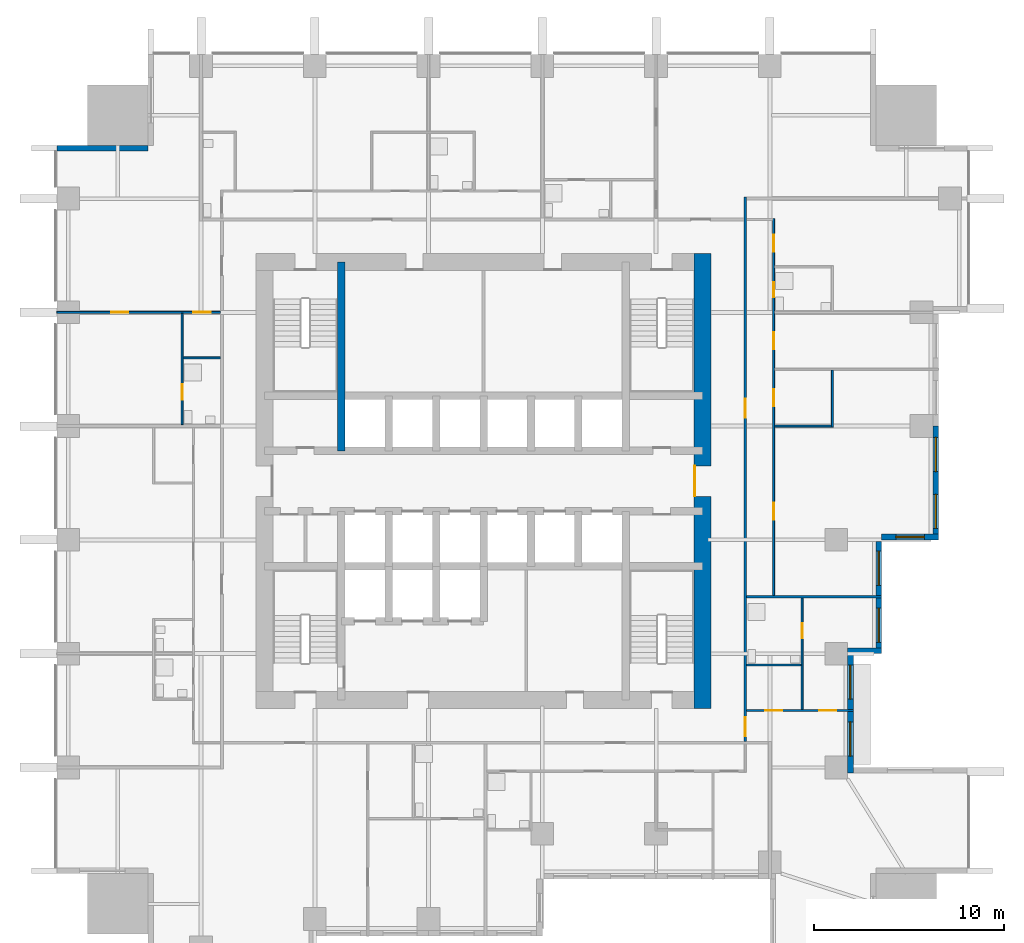
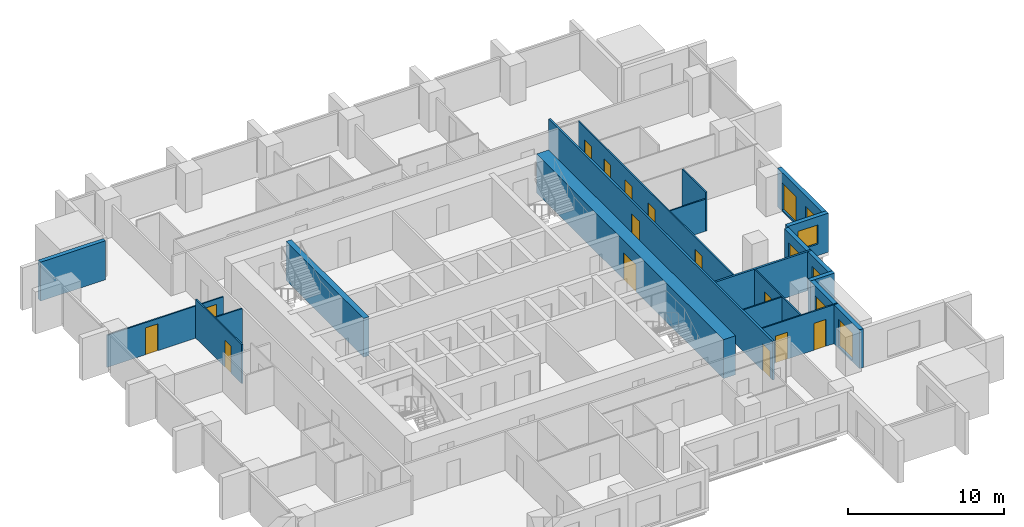
# One storey, part 6 of 10: 19 walls, 14 doors, 7 windows, 21 openings.
"""IFC4 building model written with IfcOpenShell, lengths in metres."""

from ifc_helpers import new_model, si_unit, direction, frame, frame_2d, origin, place, context, subcontext, project, spatial, rectangle, extrude, material, layer, layer_set, type_object, element, fill, save


model = new_model("IFC4")

# Units and contexts
model_context = context("Model", 3, precision=1e-05, world=origin(), true_north=direction((0.0, 1.0)))
body_context = subcontext(model_context, "Body", "Model", "MODEL_VIEW")
ifc_project = project(units=[si_unit("LENGTHUNIT", "METRE"), si_unit("AREAUNIT", "SQUARE_METRE"), si_unit("VOLUMEUNIT", "CUBIC_METRE"), si_unit("PLANEANGLEUNIT", "RADIAN"), si_unit("MASSUNIT", "GRAM", prefix="KILO")], contexts=[model_context])

# Site, building, storey
site_placement = place(None, origin())
site = spatial("IfcSite", under=ifc_project, at=site_placement, CompositionType="ELEMENT")
building_placement = place(site_placement, origin())
building = spatial("IfcBuilding", under=site, at=building_placement, Name="Amberfall Residences", CompositionType="ELEMENT")
storey_placement = place(building_placement, frame((0.0, 0.0, 36.699951171875)))
storey = spatial("IfcBuildingStorey", under=building, at=storey_placement, Name="L09", CompositionType="ELEMENT", Elevation=36.699951171875)

# Wall
ifc_material_1 = material(Name="Pale stone cladding on insulated backing", Category="masonry")
ifc_layer_1 = layer(ifc_material_1, 0.300048828125)
ifc_layer_set_1 = layer_set([ifc_layer_1], Name="Bronze clad wall 300")
wall_type_1 = type_object("IfcWallType", Name="Bronze clad wall 300", PredefinedType="SOLIDWALL", material=ifc_layer_set_1)
wall_1_placement = place(storey_placement, frame((93.699951171875, 36.550048828125, 0.0), z_axis=(0.0, 0.0, 1.0), x_axis=(1.0, 0.0, 0.0)))
element("IfcWall", 1, at=wall_1_placement, inside=storey, type_object=wall_type_1, Name="External wall L09 E", PredefinedType="SOLIDWALL", context=body_context, shape_type="SweptSolid", body=[
    extrude(rectangle(XDim=1.800048828125, YDim=0.300048828125, at=frame_2d((0.89990234375, 0.0))), origin(), (0.0, 0.0, 1.0), 3.050048828125),
])

# Wall, opening, window
wall_2_placement = place(storey_placement, frame((95.5, 42.550048828125, 0.0), z_axis=(0.0, 0.0, 1.0), x_axis=(1.0, 0.0, 0.0)))
wall_2 = element("IfcWall", 2, at=wall_2_placement, inside=storey, type_object=wall_type_1, Name="External wall L09 E", PredefinedType="SOLIDWALL", context=body_context, shape_type="SweptSolid", body=[
    extrude(rectangle(XDim=3.0, YDim=0.300048828125, at=frame_2d((1.5, 0.0))), origin(), (0.0, 0.0, 1.0), 3.050048828125),
])
opening_1_placement = place(wall_2_placement, frame((0.75, 0.0, 0.89990234375)))
opening_1 = element("IfcOpeningElement", 3, at=opening_1_placement, cuts=wall_2, Name="Opening WN1", PredefinedType="OPENING", context=body_context, shape_type="SweptSolid", body=[
    extrude(rectangle(XDim=1.5, YDim=1.5, at=frame_2d((0.75, 0.75))), frame((0.0, 0.159912109375, 0.0), z_axis=(0.0, -1.0, 0.0), x_axis=(1.0, 0.0, 0.0)), (0.0, 0.0, 1.0), 0.320068359375),
])
ifc_material_2 = material(Name="Bronze aluminium framed glazing", Category="aluminium")
window_type_1 = type_object("IfcWindowType", Name="Window 1500 x 1500 bronze", PartitioningType="DOUBLE_PANEL_VERTICAL", PredefinedType="WINDOW", material=ifc_material_2)
window_1_placement = place(opening_1_placement, origin())
window_1 = element("IfcWindow", 4, at=window_1_placement, inside=storey, type_object=window_type_1, Name="Window L09 E", OverallHeight=1.5, OverallWidth=1.5, PartitioningType="DOUBLE_PANEL_VERTICAL", PredefinedType="WINDOW", context=body_context, shape_type="SweptSolid", body=[
    extrude(rectangle(XDim=1.5, YDim=1.5, at=frame_2d((0.75, 0.75))), frame((0.0, 0.030029296875, 0.0), z_axis=(0.0, -1.0, 0.0), x_axis=(1.0, 0.0, 0.0)), (0.0, 0.0, 1.0), 0.06005859375),
])
fill(opening_1, window_1)

# Wall
wall_3_placement = place(storey_placement, frame((56.800048828125, 63.050048828125, 0.0), z_axis=(0.0, 0.0, 1.0), x_axis=(-1.0, 0.0, 0.0)))
element("IfcWall", 5, at=wall_3_placement, inside=storey, type_object=wall_type_1, Name="External wall L09 NW", PredefinedType="SOLIDWALL", context=body_context, shape_type="SweptSolid", body=[
    extrude(rectangle(XDim=4.800048828125, YDim=0.300048828125, at=frame_2d((2.39990234375, 0.0))), origin(), (0.0, 0.0, 1.0), 3.050048828125),
])

# Wall, openings, windows
wall_4_placement = place(storey_placement, frame((93.85009765625, 30.10009765625, 0.0), z_axis=(0.0, 0.0, 1.0), x_axis=(0.0, 1.0, 0.0)))
wall_4 = element("IfcWall", 6, at=wall_4_placement, inside=storey, type_object=wall_type_1, Name="Stone wall L09 E", PredefinedType="SOLIDWALL", context=body_context, shape_type="SweptSolid", body=[
    extrude(rectangle(XDim=6.2998046875, YDim=0.300048828125, at=frame_2d((3.14990234375, 0.0))), origin(), (0.0, 0.0, 1.0), 3.050048828125),
])
opening_2_placement = place(wall_4_placement, frame((0.89990234375, 0.0, 0.14990234375)))
opening_2 = element("IfcOpeningElement", 7, at=opening_2_placement, cuts=wall_4, Name="Opening WN6", PredefinedType="OPENING", context=body_context, shape_type="SweptSolid", body=[
    extrude(rectangle(XDim=1.800048828125, YDim=2.10009765625, at=frame_2d((0.89990234375, 1.050048828125))), frame((0.0, 0.159912109375, 0.0), z_axis=(0.0, -1.0, 0.0), x_axis=(1.0, 0.0, 0.0)), (0.0, 0.0, 1.0), 0.320068359375),
])
opening_3_placement = place(wall_4_placement, frame((3.89990234375, 0.0, 0.14990234375)))
opening_3 = element("IfcOpeningElement", 8, at=opening_3_placement, cuts=wall_4, Name="Opening WN6", PredefinedType="OPENING", context=body_context, shape_type="SweptSolid", body=[
    extrude(rectangle(XDim=1.800048828125, YDim=2.10009765625, at=frame_2d((0.89990234375, 1.050048828125))), frame((0.0, 0.159912109375, 0.0), z_axis=(0.0, -1.0, 0.0), x_axis=(1.0, 0.0, 0.0)), (0.0, 0.0, 1.0), 0.320068359375),
])
window_type_2 = type_object("IfcWindowType", Name="Glazed opening 1800 x 2100 bronze", PartitioningType="DOUBLE_PANEL_VERTICAL", PredefinedType="WINDOW", material=ifc_material_2)
window_2_placement = place(opening_2_placement, origin())
window_2 = element("IfcWindow", 9, at=window_2_placement, inside=storey, type_object=window_type_2, Name="Window L09 E", OverallHeight=2.10009765625, OverallWidth=1.800048828125, PartitioningType="DOUBLE_PANEL_VERTICAL", PredefinedType="WINDOW", context=body_context, shape_type="SweptSolid", body=[
    extrude(rectangle(XDim=1.800048828125, YDim=2.10009765625, at=frame_2d((0.89990234375, 1.050048828125))), frame((0.0, 0.030029296875, 0.0), z_axis=(0.0, -1.0, 0.0), x_axis=(1.0, 0.0, 0.0)), (0.0, 0.0, 1.0), 0.06005859375),
])
fill(opening_2, window_2)
window_3_placement = place(opening_3_placement, origin())
window_3 = element("IfcWindow", 10, at=window_3_placement, inside=storey, type_object=window_type_2, Name="Window L09 E", OverallHeight=2.10009765625, OverallWidth=1.800048828125, PartitioningType="DOUBLE_PANEL_VERTICAL", PredefinedType="WINDOW", context=body_context, shape_type="SweptSolid", body=[
    extrude(rectangle(XDim=1.800048828125, YDim=2.10009765625, at=frame_2d((0.89990234375, 1.050048828125))), frame((0.0, 0.030029296875, 0.0), z_axis=(0.0, -1.0, 0.0), x_axis=(1.0, 0.0, 0.0)), (0.0, 0.0, 1.0), 0.06005859375),
])
fill(opening_3, window_3)

wall_5_placement = place(storey_placement, frame((95.35009765625, 36.699951171875, 0.0), z_axis=(0.0, 0.0, 1.0), x_axis=(0.0, 1.0, 0.0)))
wall_5 = element("IfcWall", 11, at=wall_5_placement, inside=storey, type_object=wall_type_1, Name="Stone wall L09 E", PredefinedType="SOLIDWALL", context=body_context, shape_type="SweptSolid", body=[
    extrude(rectangle(XDim=5.610107421875, YDim=0.300048828125, at=frame_2d((2.80517578125, 0.0))), origin(), (0.0, 0.0, 1.0), 3.050048828125),
])
opening_4_placement = place(wall_5_placement, frame((0.300048828125, 0.0, 0.14990234375)))
opening_4 = element("IfcOpeningElement", 12, at=opening_4_placement, cuts=wall_5, Name="Opening WN6", PredefinedType="OPENING", context=body_context, shape_type="SweptSolid", body=[
    extrude(rectangle(XDim=1.800048828125, YDim=2.10009765625, at=frame_2d((0.89990234375, 1.050048828125))), frame((0.0, 0.159912109375, 0.0), z_axis=(0.0, -1.0, 0.0), x_axis=(1.0, 0.0, 0.0)), (0.0, 0.0, 1.0), 0.320068359375),
])
opening_5_placement = place(wall_5_placement, frame((3.300048828125, 0.0, 0.14990234375)))
opening_5 = element("IfcOpeningElement", 13, at=opening_5_placement, cuts=wall_5, Name="Opening WN6", PredefinedType="OPENING", context=body_context, shape_type="SweptSolid", body=[
    extrude(rectangle(XDim=1.800048828125, YDim=2.10009765625, at=frame_2d((0.89990234375, 1.050048828125))), frame((0.0, 0.159912109375, 0.0), z_axis=(0.0, -1.0, 0.0), x_axis=(1.0, 0.0, 0.0)), (0.0, 0.0, 1.0), 0.320068359375),
])
window_4_placement = place(opening_4_placement, origin())
window_4 = element("IfcWindow", 14, at=window_4_placement, inside=storey, type_object=window_type_2, Name="Window L09 E", OverallHeight=2.10009765625, OverallWidth=1.800048828125, PartitioningType="DOUBLE_PANEL_VERTICAL", PredefinedType="WINDOW", context=body_context, shape_type="SweptSolid", body=[
    extrude(rectangle(XDim=1.800048828125, YDim=2.10009765625, at=frame_2d((0.89990234375, 1.050048828125))), frame((0.0, 0.030029296875, 0.0), z_axis=(0.0, -1.0, 0.0), x_axis=(1.0, 0.0, 0.0)), (0.0, 0.0, 1.0), 0.06005859375),
])
fill(opening_4, window_4)
window_5_placement = place(opening_5_placement, origin())
window_5 = element("IfcWindow", 15, at=window_5_placement, inside=storey, type_object=window_type_2, Name="Window L09 E", OverallHeight=2.10009765625, OverallWidth=1.800048828125, PartitioningType="DOUBLE_PANEL_VERTICAL", PredefinedType="WINDOW", context=body_context, shape_type="SweptSolid", body=[
    extrude(rectangle(XDim=1.800048828125, YDim=2.10009765625, at=frame_2d((0.89990234375, 1.050048828125))), frame((0.0, 0.030029296875, 0.0), z_axis=(0.0, -1.0, 0.0), x_axis=(1.0, 0.0, 0.0)), (0.0, 0.0, 1.0), 0.06005859375),
])
fill(opening_5, window_5)

wall_6_placement = place(storey_placement, frame((98.35009765625, 42.699951171875, 0.0), z_axis=(0.0, 0.0, 1.0), x_axis=(0.0, 1.0, 0.0)))
wall_6 = element("IfcWall", 16, at=wall_6_placement, inside=storey, type_object=wall_type_1, Name="Stone wall L09 E", PredefinedType="SOLIDWALL", context=body_context, shape_type="SweptSolid", body=[
    extrude(rectangle(XDim=5.699951171875, YDim=0.300048828125, at=frame_2d((2.85009765625, 0.0))), origin(), (0.0, 0.0, 1.0), 3.050048828125),
])
opening_6_placement = place(wall_6_placement, frame((0.300048828125, 0.0, 0.14990234375)))
opening_6 = element("IfcOpeningElement", 17, at=opening_6_placement, cuts=wall_6, Name="Opening WN6", PredefinedType="OPENING", context=body_context, shape_type="SweptSolid", body=[
    extrude(rectangle(XDim=1.800048828125, YDim=2.10009765625, at=frame_2d((0.89990234375, 1.050048828125))), frame((0.0, 0.159912109375, 0.0), z_axis=(0.0, -1.0, 0.0), x_axis=(1.0, 0.0, 0.0)), (0.0, 0.0, 1.0), 0.320068359375),
])
opening_7_placement = place(wall_6_placement, frame((3.300048828125, 0.0, 0.14990234375)))
opening_7 = element("IfcOpeningElement", 18, at=opening_7_placement, cuts=wall_6, Name="Opening WN6", PredefinedType="OPENING", context=body_context, shape_type="SweptSolid", body=[
    extrude(rectangle(XDim=1.800048828125, YDim=2.10009765625, at=frame_2d((0.89990234375, 1.050048828125))), frame((0.0, 0.159912109375, 0.0), z_axis=(0.0, -1.0, 0.0), x_axis=(1.0, 0.0, 0.0)), (0.0, 0.0, 1.0), 0.320068359375),
])
window_6_placement = place(opening_6_placement, origin())
window_6 = element("IfcWindow", 19, at=window_6_placement, inside=storey, type_object=window_type_2, Name="Window L09 E", OverallHeight=2.10009765625, OverallWidth=1.800048828125, PartitioningType="DOUBLE_PANEL_VERTICAL", PredefinedType="WINDOW", context=body_context, shape_type="SweptSolid", body=[
    extrude(rectangle(XDim=1.800048828125, YDim=2.10009765625, at=frame_2d((0.89990234375, 1.050048828125))), frame((0.0, 0.030029296875, 0.0), z_axis=(0.0, -1.0, 0.0), x_axis=(1.0, 0.0, 0.0)), (0.0, 0.0, 1.0), 0.06005859375),
])
fill(opening_6, window_6)
window_7_placement = place(opening_7_placement, origin())
window_7 = element("IfcWindow", 20, at=window_7_placement, inside=storey, type_object=window_type_2, Name="Window L09 E", OverallHeight=2.10009765625, OverallWidth=1.800048828125, PartitioningType="DOUBLE_PANEL_VERTICAL", PredefinedType="WINDOW", context=body_context, shape_type="SweptSolid", body=[
    extrude(rectangle(XDim=1.800048828125, YDim=2.10009765625, at=frame_2d((0.89990234375, 1.050048828125))), frame((0.0, 0.030029296875, 0.0), z_axis=(0.0, -1.0, 0.0), x_axis=(1.0, 0.0, 0.0)), (0.0, 0.0, 1.0), 0.06005859375),
])
fill(opening_7, window_7)

# Wall
ifc_material_3 = material(Name="Concrete C80", Category="concrete")
ifc_layer_2 = layer(ifc_material_3, 0.39990234375)
ifc_layer_set_2 = layer_set([ifc_layer_2], Name="Core wall 400 C80")
wall_type_2 = type_object("IfcWallType", Name="Core wall 400 C80", PredefinedType="SHEAR", material=ifc_layer_set_2)
wall_7_placement = place(storey_placement, frame((67.0, 47.10009765625, 0.0), z_axis=(0.0, 0.0, 1.0), x_axis=(0.0, 1.0, 0.0)))
element("IfcWall", 21, at=wall_7_placement, inside=storey, type_object=wall_type_2, Name="Core wall RW2 L09 V45N", PredefinedType="SHEAR", context=body_context, shape_type="SweptSolid", body=[
    extrude(rectangle(XDim=9.949951171875, YDim=0.39990234375, at=frame_2d((4.97509765625, 0.0))), origin(), (0.0, 0.0, 1.0), 3.050048828125),
])

# Wall, opening, door
ifc_layer_3 = layer(ifc_material_3, 0.89990234375)
ifc_layer_set_3 = layer_set([ifc_layer_3], Name="Core wall 900 C80")
wall_type_3 = type_object("IfcWallType", Name="Core wall 900 C80", PredefinedType="SHEAR", material=ifc_layer_set_3)
wall_8_placement = place(storey_placement, frame((86.050048828125, 33.5, 0.0), z_axis=(0.0, 0.0, 1.0), x_axis=(0.0, 1.0, 0.0)))
wall_8 = element("IfcWall", 22, at=wall_8_placement, inside=storey, type_object=wall_type_3, Name="Core wall RW1 L09 OE", PredefinedType="SHEAR", context=body_context, shape_type="SweptSolid", body=[
    extrude(rectangle(XDim=24.0, YDim=0.89990234375, at=frame_2d((12.0, 0.0))), origin(), (0.0, 0.0, 1.0), 3.050048828125),
])
opening_8_placement = place(wall_8_placement, frame((11.199951171875, 0.0, 0.0)))
opening_8 = element("IfcOpeningElement", 23, at=opening_8_placement, cuts=wall_8, Name="Opening LB1", PredefinedType="OPENING", context=body_context, shape_type="SweptSolid", body=[
    extrude(rectangle(XDim=1.60009765625, YDim=2.10009765625, at=frame_2d((0.800048828125, 1.050048828125))), frame((0.0, 0.4599609375, 0.0), z_axis=(0.0, -1.0, 0.0), x_axis=(1.0, 0.0, 0.0)), (0.0, 0.0, 1.0), 0.919921875),
])
ifc_material_4 = material(Name="Steel fire door set", Category="steel")
door_type_1 = type_object("IfcDoorType", Name="Lift lobby double door 1600 x 2100", OperationType="DOUBLE_DOOR_SINGLE_SWING", PredefinedType="DOOR", material=ifc_material_4)
door_1_placement = place(opening_8_placement, origin())
door_1 = element("IfcDoor", 24, at=door_1_placement, inside=storey, type_object=door_type_1, Name="LB1 L09", OperationType="DOUBLE_DOOR_SINGLE_SWING", OverallHeight=2.10009765625, OverallWidth=1.60009765625, PredefinedType="DOOR", context=body_context, shape_type="SweptSolid", body=[
    extrude(rectangle(XDim=1.60009765625, YDim=2.10009765625, at=frame_2d((0.800048828125, 1.050048828125))), frame((0.0, 0.4375, 0.0), z_axis=(0.0, -1.0, 0.0), x_axis=(1.0, 0.0, 0.0)), (0.0, 0.0, 1.0), 0.050048828125),
])
fill(opening_8, door_1)

ifc_material_5 = material(Name="Gypsum board on metal stud")
ifc_layer_4 = layer(ifc_material_5, 0.10009765625)
ifc_layer_set_4 = layer_set([ifc_layer_4], Name="Flat partition 100")
wall_type_4 = type_object("IfcWallType", Name="Flat partition 100", PredefinedType="PARTITIONING", material=ifc_layer_set_4)
wall_9_placement = place(storey_placement, frame((58.60009765625, 54.35009765625, 0.0), z_axis=(0.0, 0.0, 1.0), x_axis=(0.0, -1.0, 0.0)))
wall_9 = element("IfcWall", 25, at=wall_9_placement, inside=storey, type_object=wall_type_4, Name="Partition 003", PredefinedType="PARTITIONING", context=body_context, shape_type="SweptSolid", body=[
    extrude(rectangle(XDim=5.875, YDim=0.10009765625, at=frame_2d((2.9375, 0.0))), origin(), (0.0, 0.0, 1.0), 3.050048828125),
])
opening_9_placement = place(wall_9_placement, frame((3.75, 0.0, 0.0)))
opening_9 = element("IfcOpeningElement", 26, at=opening_9_placement, cuts=wall_9, Name="Opening D42", PredefinedType="OPENING", context=body_context, shape_type="SweptSolid", body=[
    extrude(rectangle(XDim=0.800048828125, YDim=2.10009765625, at=frame_2d((0.39990234375, 1.050048828125))), frame((0.0, 0.06005859375, 0.0), z_axis=(0.0, -1.0, 0.0), x_axis=(1.0, 0.0, 0.0)), (0.0, 0.0, 1.0), 0.1201171875),
])
ifc_material_6 = material(Name="Timber", Category="wood")
door_type_2 = type_object("IfcDoorType", Name="Bathroom door 800 x 2100", OperationType="SINGLE_SWING_LEFT", PredefinedType="DOOR", material=ifc_material_6)
door_2_placement = place(opening_9_placement, origin())
door_2 = element("IfcDoor", 27, at=door_2_placement, inside=storey, type_object=door_type_2, Name="Door 0908 bath1", OperationType="SINGLE_SWING_LEFT", OverallHeight=2.10009765625, OverallWidth=0.800048828125, PredefinedType="DOOR", context=body_context, shape_type="SweptSolid", body=[
    extrude(rectangle(XDim=0.800048828125, YDim=2.10009765625, at=frame_2d((0.39990234375, 1.050048828125))), frame((0.0, 0.02490234375, 0.0), z_axis=(0.0, -1.0, 0.0), x_axis=(1.0, 0.0, 0.0)), (0.0, 0.0, 1.0), 0.050048828125),
])
fill(opening_9, door_2)

# Wall, openings, doors
wall_10_placement = place(storey_placement, frame((89.800048828125, 59.35009765625, 0.0), z_axis=(0.0, 0.0, 1.0), x_axis=(0.0, -1.0, 0.0)))
wall_10 = element("IfcWall", 28, at=wall_10_placement, inside=storey, type_object=wall_type_4, Name="Partition 018", PredefinedType="PARTITIONING", context=body_context, shape_type="SweptSolid", body=[
    extrude(rectangle(XDim=19.875, YDim=0.10009765625, at=frame_2d((9.9375, 0.0))), origin(), (0.0, 0.0, 1.0), 3.050048828125),
])
opening_10_placement = place(wall_10_placement, frame((15.0, 0.0, 0.0)))
opening_10 = element("IfcOpeningElement", 29, at=opening_10_placement, cuts=wall_10, Name="Opening D41", PredefinedType="OPENING", context=body_context, shape_type="SweptSolid", body=[
    extrude(rectangle(XDim=0.89990234375, YDim=2.10009765625, at=frame_2d((0.449951171875, 1.050048828125))), frame((0.0, 0.06005859375, 0.0), z_axis=(0.0, -1.0, 0.0), x_axis=(1.0, 0.0, 0.0)), (0.0, 0.0, 1.0), 0.1201171875),
])
opening_11_placement = place(wall_10_placement, frame((9.0, 0.0, 0.0)))
opening_11 = element("IfcOpeningElement", 30, at=opening_11_placement, cuts=wall_10, Name="Opening D41", PredefinedType="OPENING", context=body_context, shape_type="SweptSolid", body=[
    extrude(rectangle(XDim=0.89990234375, YDim=2.10009765625, at=frame_2d((0.449951171875, 1.050048828125))), frame((0.0, 0.06005859375, 0.0), z_axis=(0.0, -1.0, 0.0), x_axis=(1.0, 0.0, 0.0)), (0.0, 0.0, 1.0), 0.1201171875),
])
opening_12_placement = place(wall_10_placement, frame((6.0, 0.0, 0.0)))
opening_12 = element("IfcOpeningElement", 31, at=opening_12_placement, cuts=wall_10, Name="Opening D41", PredefinedType="OPENING", context=body_context, shape_type="SweptSolid", body=[
    extrude(rectangle(XDim=0.89990234375, YDim=2.10009765625, at=frame_2d((0.449951171875, 1.050048828125))), frame((0.0, 0.06005859375, 0.0), z_axis=(0.0, -1.0, 0.0), x_axis=(1.0, 0.0, 0.0)), (0.0, 0.0, 1.0), 0.1201171875),
])
opening_13_placement = place(wall_10_placement, frame((0.85009765625, 0.0, 0.0)))
opening_13 = element("IfcOpeningElement", 32, at=opening_13_placement, cuts=wall_10, Name="Opening D41", PredefinedType="OPENING", context=body_context, shape_type="SweptSolid", body=[
    extrude(rectangle(XDim=0.89990234375, YDim=2.10009765625, at=frame_2d((0.449951171875, 1.050048828125))), frame((0.0, 0.06005859375, 0.0), z_axis=(0.0, -1.0, 0.0), x_axis=(1.0, 0.0, 0.0)), (0.0, 0.0, 1.0), 0.1201171875),
])
opening_14_placement = place(wall_10_placement, frame((3.35009765625, 0.0, 0.0)))
opening_14 = element("IfcOpeningElement", 33, at=opening_14_placement, cuts=wall_10, Name="Opening D42", PredefinedType="OPENING", context=body_context, shape_type="SweptSolid", body=[
    extrude(rectangle(XDim=0.800048828125, YDim=2.10009765625, at=frame_2d((0.39990234375, 1.050048828125))), frame((0.0, 0.06005859375, 0.0), z_axis=(0.0, -1.0, 0.0), x_axis=(1.0, 0.0, 0.0)), (0.0, 0.0, 1.0), 0.1201171875),
])
door_3_placement = place(opening_14_placement, origin())
door_3 = element("IfcDoor", 34, at=door_3_placement, inside=storey, type_object=door_type_2, Name="Door 0904 bath1", OperationType="SINGLE_SWING_LEFT", OverallHeight=2.10009765625, OverallWidth=0.800048828125, PredefinedType="DOOR", context=body_context, shape_type="SweptSolid", body=[
    extrude(rectangle(XDim=0.800048828125, YDim=2.10009765625, at=frame_2d((0.39990234375, 1.050048828125))), frame((0.0, 0.02490234375, 0.0), z_axis=(0.0, -1.0, 0.0), x_axis=(1.0, 0.0, 0.0)), (0.0, 0.0, 1.0), 0.050048828125),
])
fill(opening_14, door_3)
door_type_3 = type_object("IfcDoorType", Name="Internal door 900 x 2100", OperationType="SINGLE_SWING_LEFT", PredefinedType="DOOR", material=ifc_material_6)
door_4_placement = place(opening_10_placement, origin())
door_4 = element("IfcDoor", 35, at=door_4_placement, inside=storey, type_object=door_type_3, Name="Door 0904 living", OperationType="SINGLE_SWING_LEFT", OverallHeight=2.10009765625, OverallWidth=0.89990234375, PredefinedType="DOOR", context=body_context, shape_type="SweptSolid", body=[
    extrude(rectangle(XDim=0.89990234375, YDim=2.10009765625, at=frame_2d((0.449951171875, 1.050048828125))), frame((0.0, 0.02490234375, 0.0), z_axis=(0.0, -1.0, 0.0), x_axis=(1.0, 0.0, 0.0)), (0.0, 0.0, 1.0), 0.050048828125),
])
fill(opening_10, door_4)
door_5_placement = place(opening_11_placement, origin())
door_5 = element("IfcDoor", 36, at=door_5_placement, inside=storey, type_object=door_type_3, Name="Door 0904 kitchen", OperationType="SINGLE_SWING_LEFT", OverallHeight=2.10009765625, OverallWidth=0.89990234375, PredefinedType="DOOR", context=body_context, shape_type="SweptSolid", body=[
    extrude(rectangle(XDim=0.89990234375, YDim=2.10009765625, at=frame_2d((0.449951171875, 1.050048828125))), frame((0.0, 0.02490234375, 0.0), z_axis=(0.0, -1.0, 0.0), x_axis=(1.0, 0.0, 0.0)), (0.0, 0.0, 1.0), 0.050048828125),
])
fill(opening_11, door_5)
door_6_placement = place(opening_12_placement, origin())
door_6 = element("IfcDoor", 37, at=door_6_placement, inside=storey, type_object=door_type_3, Name="Door 0904 bedroom1", OperationType="SINGLE_SWING_LEFT", OverallHeight=2.10009765625, OverallWidth=0.89990234375, PredefinedType="DOOR", context=body_context, shape_type="SweptSolid", body=[
    extrude(rectangle(XDim=0.89990234375, YDim=2.10009765625, at=frame_2d((0.449951171875, 1.050048828125))), frame((0.0, 0.02490234375, 0.0), z_axis=(0.0, -1.0, 0.0), x_axis=(1.0, 0.0, 0.0)), (0.0, 0.0, 1.0), 0.050048828125),
])
fill(opening_12, door_6)
door_7_placement = place(opening_13_placement, origin())
door_7 = element("IfcDoor", 38, at=door_7_placement, inside=storey, type_object=door_type_3, Name="Door 0904 bedroom2", OperationType="SINGLE_SWING_LEFT", OverallHeight=2.10009765625, OverallWidth=0.89990234375, PredefinedType="DOOR", context=body_context, shape_type="SweptSolid", body=[
    extrude(rectangle(XDim=0.89990234375, YDim=2.10009765625, at=frame_2d((0.449951171875, 1.050048828125))), frame((0.0, 0.02490234375, 0.0), z_axis=(0.0, -1.0, 0.0), x_axis=(1.0, 0.0, 0.0)), (0.0, 0.0, 1.0), 0.050048828125),
])
fill(opening_13, door_7)

# Wall, opening, door
wall_11_placement = place(storey_placement, frame((91.300048828125, 33.449951171875, 0.0), z_axis=(0.0, 0.0, 1.0), x_axis=(0.0, 1.0, 0.0)))
wall_11 = element("IfcWall", 39, at=wall_11_placement, inside=storey, type_object=wall_type_4, Name="Partition 019", PredefinedType="PARTITIONING", context=body_context, shape_type="SweptSolid", body=[
    extrude(rectangle(XDim=5.875, YDim=0.10009765625, at=frame_2d((2.9375, 0.0))), origin(), (0.0, 0.0, 1.0), 3.050048828125),
])
opening_15_placement = place(wall_11_placement, frame((3.75, 0.0, 0.0)))
opening_15 = element("IfcOpeningElement", 40, at=opening_15_placement, cuts=wall_11, Name="Opening D42", PredefinedType="OPENING", context=body_context, shape_type="SweptSolid", body=[
    extrude(rectangle(XDim=0.800048828125, YDim=2.10009765625, at=frame_2d((0.39990234375, 1.050048828125))), frame((0.0, 0.06005859375, 0.0), z_axis=(0.0, -1.0, 0.0), x_axis=(1.0, 0.0, 0.0)), (0.0, 0.0, 1.0), 0.1201171875),
])
door_8_placement = place(opening_15_placement, origin())
door_8 = element("IfcDoor", 41, at=door_8_placement, inside=storey, type_object=door_type_2, Name="Door 0903 bath1", OperationType="SINGLE_SWING_LEFT", OverallHeight=2.10009765625, OverallWidth=0.800048828125, PredefinedType="DOOR", context=body_context, shape_type="SweptSolid", body=[
    extrude(rectangle(XDim=0.800048828125, YDim=2.10009765625, at=frame_2d((0.39990234375, 1.050048828125))), frame((0.0, 0.02490234375, 0.0), z_axis=(0.0, -1.0, 0.0), x_axis=(1.0, 0.0, 0.0)), (0.0, 0.0, 1.0), 0.050048828125),
])
fill(opening_15, door_8)

# Wall
wall_12_placement = place(storey_placement, frame((92.89990234375, 48.35009765625, 0.0), z_axis=(0.0, 0.0, 1.0), x_axis=(0.0, 1.0, 0.0)))
element("IfcWall", 42, at=wall_12_placement, inside=storey, type_object=wall_type_4, Name="Partition 020", PredefinedType="PARTITIONING", context=body_context, shape_type="SweptSolid", body=[
    extrude(rectangle(XDim=3.0, YDim=0.10009765625, at=frame_2d((1.5, 0.0))), origin(), (0.0, 0.0, 1.0), 3.050048828125),
])

# Wall, openings, doors
wall_13_placement = place(storey_placement, frame((60.625, 54.39990234375, 0.0), z_axis=(0.0, 0.0, 1.0), x_axis=(-1.0, 0.0, 0.0)))
wall_13 = element("IfcWall", 43, at=wall_13_placement, inside=storey, type_object=wall_type_4, Name="Partition 028", PredefinedType="PARTITIONING", context=body_context, shape_type="SweptSolid", body=[
    extrude(rectangle(XDim=8.625, YDim=0.10009765625, at=frame_2d((4.3125, 0.0))), origin(), (0.0, 0.0, 1.0), 2.51611328125),
])
opening_16_placement = place(wall_13_placement, frame((0.52490234375, 0.0, 0.0)))
opening_16 = element("IfcOpeningElement", 44, at=opening_16_placement, cuts=wall_13, Name="Opening D41", PredefinedType="OPENING", context=body_context, shape_type="SweptSolid", body=[
    extrude(rectangle(XDim=0.89990234375, YDim=2.10009765625, at=frame_2d((0.449951171875, 1.050048828125))), frame((0.0, 0.06005859375, 0.0), z_axis=(0.0, -1.0, 0.0), x_axis=(1.0, 0.0, 0.0)), (0.0, 0.0, 1.0), 0.1201171875),
])
opening_17_placement = place(wall_13_placement, frame((4.875, 0.0, 0.0)))
opening_17 = element("IfcOpeningElement", 45, at=opening_17_placement, cuts=wall_13, Name="Opening D41", PredefinedType="OPENING", context=body_context, shape_type="SweptSolid", body=[
    extrude(rectangle(XDim=0.89990234375, YDim=2.10009765625, at=frame_2d((0.449951171875, 1.050048828125))), frame((0.0, 0.06005859375, 0.0), z_axis=(0.0, -1.0, 0.0), x_axis=(1.0, 0.0, 0.0)), (0.0, 0.0, 1.0), 0.1201171875),
])
door_9_placement = place(opening_16_placement, origin())
door_9 = element("IfcDoor", 46, at=door_9_placement, inside=storey, type_object=door_type_3, Name="Door 0908 kitchen", OperationType="SINGLE_SWING_LEFT", OverallHeight=2.10009765625, OverallWidth=0.89990234375, PredefinedType="DOOR", context=body_context, shape_type="SweptSolid", body=[
    extrude(rectangle(XDim=0.89990234375, YDim=2.10009765625, at=frame_2d((0.449951171875, 1.050048828125))), frame((0.0, 0.02490234375, 0.0), z_axis=(0.0, -1.0, 0.0), x_axis=(1.0, 0.0, 0.0)), (0.0, 0.0, 1.0), 0.050048828125),
])
fill(opening_16, door_9)
door_10_placement = place(opening_17_placement, origin())
door_10 = element("IfcDoor", 47, at=door_10_placement, inside=storey, type_object=door_type_3, Name="Door 0908 bedroom1", OperationType="SINGLE_SWING_LEFT", OverallHeight=2.10009765625, OverallWidth=0.89990234375, PredefinedType="DOOR", context=body_context, shape_type="SweptSolid", body=[
    extrude(rectangle(XDim=0.89990234375, YDim=2.10009765625, at=frame_2d((0.449951171875, 1.050048828125))), frame((0.0, 0.02490234375, 0.0), z_axis=(0.0, -1.0, 0.0), x_axis=(1.0, 0.0, 0.0)), (0.0, 0.0, 1.0), 0.050048828125),
])
fill(opening_17, door_10)

# Walls
wall_14_placement = place(storey_placement, frame((58.64990234375, 52.0, 0.0), z_axis=(0.0, 0.0, 1.0), x_axis=(1.0, 0.0, 0.0)))
element("IfcWall", 48, at=wall_14_placement, inside=storey, type_object=wall_type_4, Name="Partition 030", PredefinedType="PARTITIONING", context=body_context, shape_type="SweptSolid", body=[
    extrude(rectangle(XDim=1.97509765625, YDim=0.10009765625, at=frame_2d((0.987548828125, 0.0))), origin(), (0.0, 0.0, 1.0), 3.050048828125),
])
wall_15_placement = place(storey_placement, frame((89.85009765625, 48.39990234375, 0.0), z_axis=(0.0, 0.0, 1.0), x_axis=(1.0, 0.0, 0.0)))
element("IfcWall", 49, at=wall_15_placement, inside=storey, type_object=wall_type_4, Name="Partition 032", PredefinedType="PARTITIONING", context=body_context, shape_type="SweptSolid", body=[
    extrude(rectangle(XDim=3.0, YDim=0.10009765625, at=frame_2d((1.5, 0.0))), origin(), (0.0, 0.0, 1.0), 2.51611328125),
])
wall_16_placement = place(storey_placement, frame((88.375, 35.800048828125, 0.0), z_axis=(0.0, 0.0, 1.0), x_axis=(1.0, 0.0, 0.0)))
element("IfcWall", 50, at=wall_16_placement, inside=storey, type_object=wall_type_4, Name="Partition 036", PredefinedType="PARTITIONING", context=body_context, shape_type="SweptSolid", body=[
    extrude(rectangle(XDim=2.875, YDim=0.10009765625, at=frame_2d((1.4375, 0.0))), origin(), (0.0, 0.0, 1.0), 3.050048828125),
])

# Wall, openings, doors
wall_17_placement = place(storey_placement, frame((88.375, 33.39990234375, 0.0), z_axis=(0.0, 0.0, 1.0), x_axis=(1.0, 0.0, 0.0)))
wall_17 = element("IfcWall", 51, at=wall_17_placement, inside=storey, type_object=wall_type_4, Name="Partition 038", PredefinedType="PARTITIONING", context=body_context, shape_type="SweptSolid", body=[
    extrude(rectangle(XDim=5.625, YDim=0.10009765625, at=frame_2d((2.8125, 0.0))), origin(), (0.0, 0.0, 1.0), 3.050048828125),
])
opening_18_placement = place(wall_17_placement, frame((0.97509765625, 0.0, 0.0)))
opening_18 = element("IfcOpeningElement", 52, at=opening_18_placement, cuts=wall_17, Name="Opening D41", PredefinedType="OPENING", context=body_context, shape_type="SweptSolid", body=[
    extrude(rectangle(XDim=0.89990234375, YDim=2.10009765625, at=frame_2d((0.449951171875, 1.050048828125))), frame((0.0, 0.06005859375, 0.0), z_axis=(0.0, -1.0, 0.0), x_axis=(1.0, 0.0, 0.0)), (0.0, 0.0, 1.0), 0.1201171875),
])
opening_19_placement = place(wall_17_placement, frame((3.824951171875, 0.0, 0.0)))
opening_19 = element("IfcOpeningElement", 53, at=opening_19_placement, cuts=wall_17, Name="Opening D41", PredefinedType="OPENING", context=body_context, shape_type="SweptSolid", body=[
    extrude(rectangle(XDim=0.89990234375, YDim=2.10009765625, at=frame_2d((0.449951171875, 1.050048828125))), frame((0.0, 0.06005859375, 0.0), z_axis=(0.0, -1.0, 0.0), x_axis=(1.0, 0.0, 0.0)), (0.0, 0.0, 1.0), 0.1201171875),
])
door_11_placement = place(opening_18_placement, origin())
door_11 = element("IfcDoor", 54, at=door_11_placement, inside=storey, type_object=door_type_3, Name="Door 0903 kitchen", OperationType="SINGLE_SWING_LEFT", OverallHeight=2.10009765625, OverallWidth=0.89990234375, PredefinedType="DOOR", context=body_context, shape_type="SweptSolid", body=[
    extrude(rectangle(XDim=0.89990234375, YDim=2.10009765625, at=frame_2d((0.449951171875, 1.050048828125))), frame((0.0, 0.02490234375, 0.0), z_axis=(0.0, -1.0, 0.0), x_axis=(1.0, 0.0, 0.0)), (0.0, 0.0, 1.0), 0.050048828125),
])
fill(opening_18, door_11)
door_12_placement = place(opening_19_placement, origin())
door_12 = element("IfcDoor", 55, at=door_12_placement, inside=storey, type_object=door_type_3, Name="Door 0903 bedroom1", OperationType="SINGLE_SWING_LEFT", OverallHeight=2.10009765625, OverallWidth=0.89990234375, PredefinedType="DOOR", context=body_context, shape_type="SweptSolid", body=[
    extrude(rectangle(XDim=0.89990234375, YDim=2.10009765625, at=frame_2d((0.449951171875, 1.050048828125))), frame((0.0, 0.02490234375, 0.0), z_axis=(0.0, -1.0, 0.0), x_axis=(1.0, 0.0, 0.0)), (0.0, 0.0, 1.0), 0.050048828125),
])
fill(opening_19, door_12)

ifc_material_7 = material(Name="Blockwork, plastered", Category="masonry")
ifc_layer_5 = layer(ifc_material_7, 0.14990234375)
ifc_layer_set_5 = layer_set([ifc_layer_5], Name="Flat separating wall 150")
wall_type_5 = type_object("IfcWallType", Name="Flat separating wall 150", PredefinedType="PARTITIONING", material=ifc_layer_set_5)
wall_18_placement = place(storey_placement, frame((88.300048828125, 60.47509765625, 0.0), z_axis=(0.0, 0.0, 1.0), x_axis=(0.0, -1.0, 0.0)))
wall_18 = element("IfcWall", 56, at=wall_18_placement, inside=storey, type_object=wall_type_5, Name="Separating wall 048", PredefinedType="PARTITIONING", context=body_context, shape_type="SweptSolid", body=[
    extrude(rectangle(XDim=28.7001953125, YDim=0.14990234375, at=frame_2d((14.35009765625, 0.0))), origin(), (0.0, 0.0, 1.0), 3.050048828125),
])
opening_20_placement = place(wall_18_placement, frame((27.425048828125, 0.0, 0.0)))
opening_20 = element("IfcOpeningElement", 57, at=opening_20_placement, cuts=wall_18, Name="Opening D40", PredefinedType="OPENING", context=body_context, shape_type="SweptSolid", body=[
    extrude(rectangle(XDim=1.0, YDim=2.10009765625, at=frame_2d((0.5, 1.050048828125))), frame((0.0, 0.0849609375, 0.0), z_axis=(0.0, -1.0, 0.0), x_axis=(1.0, 0.0, 0.0)), (0.0, 0.0, 1.0), 0.169921875),
])
opening_21_placement = place(wall_18_placement, frame((10.625, 0.0, 0.0)))
opening_21 = element("IfcOpeningElement", 58, at=opening_21_placement, cuts=wall_18, Name="Opening D40", PredefinedType="OPENING", context=body_context, shape_type="SweptSolid", body=[
    extrude(rectangle(XDim=1.0, YDim=2.10009765625, at=frame_2d((0.5, 1.050048828125))), frame((0.0, 0.0849609375, 0.0), z_axis=(0.0, -1.0, 0.0), x_axis=(1.0, 0.0, 0.0)), (0.0, 0.0, 1.0), 0.169921875),
])
ifc_material_8 = material(Name="Timber, fire-rated", Category="wood")
door_type_4 = type_object("IfcDoorType", Name="Flat entrance door FD60 1000 x 2100", OperationType="SINGLE_SWING_LEFT", PredefinedType="DOOR", material=ifc_material_8)
door_13_placement = place(opening_20_placement, origin())
door_13 = element("IfcDoor", 59, at=door_13_placement, inside=storey, type_object=door_type_4, Name="Door 0903 entrance", OperationType="SINGLE_SWING_LEFT", OverallHeight=2.10009765625, OverallWidth=1.0, PredefinedType="DOOR", context=body_context, shape_type="SweptSolid", body=[
    extrude(rectangle(XDim=1.0, YDim=2.10009765625, at=frame_2d((0.5, 1.050048828125))), frame((0.0, 0.02490234375, 0.0), z_axis=(0.0, -1.0, 0.0), x_axis=(1.0, 0.0, 0.0)), (0.0, 0.0, 1.0), 0.050048828125),
])
fill(opening_20, door_13)
door_14_placement = place(opening_21_placement, origin())
door_14 = element("IfcDoor", 60, at=door_14_placement, inside=storey, type_object=door_type_4, Name="Door 0904 entrance", OperationType="SINGLE_SWING_LEFT", OverallHeight=2.10009765625, OverallWidth=1.0, PredefinedType="DOOR", context=body_context, shape_type="SweptSolid", body=[
    extrude(rectangle(XDim=1.0, YDim=2.10009765625, at=frame_2d((0.5, 1.050048828125))), frame((0.0, 0.02490234375, 0.0), z_axis=(0.0, -1.0, 0.0), x_axis=(1.0, 0.0, 0.0)), (0.0, 0.0, 1.0), 0.050048828125),
])
fill(opening_21, door_14)

# Wall
wall_19_placement = place(storey_placement, frame((88.375, 39.39990234375, 0.0), z_axis=(0.0, 0.0, 1.0), x_axis=(1.0, 0.0, 0.0)))
element("IfcWall", 61, at=wall_19_placement, inside=storey, type_object=wall_type_5, Name="Separating wall 053", PredefinedType="PARTITIONING", context=body_context, shape_type="SweptSolid", body=[
    extrude(rectangle(XDim=7.125, YDim=0.14990234375, at=frame_2d((3.5625, 0.0))), origin(), (0.0, 0.0, 1.0), 3.050048828125),
])

save(model, "model.ifc")
